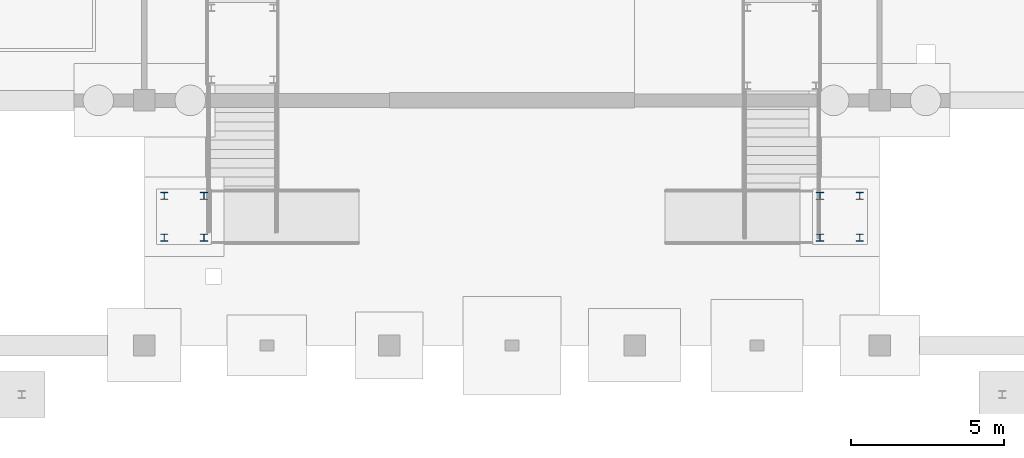
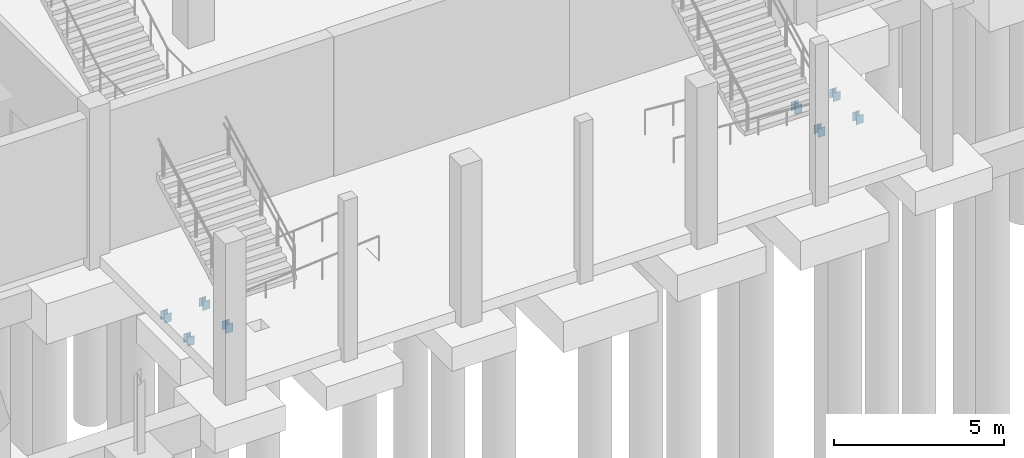
# One storey, part 23 of 45: 8 members.
"""IFC4 building model written with IfcOpenShell, lengths in metres."""

from ifc_helpers import new_model, si_unit, direction, frame, origin, origin_2d, place, context, subcontext, project, spatial, i_section, extrude, material, material_profile, profile_set, type_object, element, save


model = new_model("IFC4")

# Units and contexts
model_context = context("Model", 3, precision=1e-05, world=origin(), true_north=direction((0.0, 1.0)))
body_context = subcontext(model_context, "Body", "Model", "MODEL_VIEW")
ifc_project = project(units=[si_unit("LENGTHUNIT", "METRE"), si_unit("AREAUNIT", "SQUARE_METRE"), si_unit("VOLUMEUNIT", "CUBIC_METRE"), si_unit("PLANEANGLEUNIT", "RADIAN"), si_unit("MASSUNIT", "GRAM", prefix="KILO")], contexts=[model_context])

# Site, building, storey
site_placement = place(None, origin())
site = spatial("IfcSite", under=ifc_project, at=site_placement, CompositionType="ELEMENT")
building_placement = place(site_placement, origin())
building = spatial("IfcBuilding", under=site, at=building_placement, Name="Kenh Van Central Station", CompositionType="ELEMENT")
storey_placement = place(building_placement, frame((0.0, 0.0, -5.39990234375)))
storey = spatial("IfcBuildingStorey", under=building, at=storey_placement, Name="B1", CompositionType="ELEMENT", Elevation=-5.39990234375)

# Members
ifc_material = material(Name="Steel S355", Category="steel")
ifc_material_profile = material_profile(ifc_material, i_section(OverallWidth=0.239990234375, OverallDepth=0.22998046875, WebThickness=0.007568359375, FlangeThickness=0.011962890625, FilletRadius=0.02099609375, at=origin_2d()), Name="HEA 240")
ifc_profile_set = profile_set([ifc_material_profile], Name="Steel S355")
member_type = type_object("IfcMemberType", Name="MEM-ROOF-POST240", PredefinedType="POST", material=ifc_profile_set)
for number, where, z_axis, x_axis, name in (
    (1, (73.949951171875, 3.52001953125, -0.85009765625), (0.0, 0.0, 1.0), (1.0, 0.0, 0.0), "Sunken Metro Plaza West Garden Ramp landing support post 11"),
    (2, (73.949951171875, 4.8798828125, -0.85009765625), (0.0, 0.0, 1.0), (1.0, 0.0, 0.0), "Sunken Metro Plaza West Garden Ramp landing support post 12"),
    (3, (72.64990234375, 3.52001953125, -0.85009765625), (0.0, 0.0, 1.0), (1.0, 0.0, 0.0), "Sunken Metro Plaza West Garden Ramp landing support post 21"),
    (4, (72.64990234375, 4.8798828125, -0.85009765625), (0.0, 0.0, 1.0), (1.0, 0.0, 0.0), "Sunken Metro Plaza West Garden Ramp landing support post 22"),
    (5, (94.050048828125, 4.8798828125, -0.85009765625), (0.0, 0.0, 1.0), (1.0, 0.0, 0.0), "Sunken Metro Plaza East Garden Ramp landing support post 11"),
    (6, (94.050048828125, 3.52001953125, -0.85009765625), (0.0, 0.0, 1.0), (1.0, 0.0, 0.0), "Sunken Metro Plaza East Garden Ramp landing support post 12"),
    (7, (95.35009765625, 4.8798828125, -0.85009765625), (0.0, 0.0, 1.0), (1.0, 0.0, 0.0), "Sunken Metro Plaza East Garden Ramp landing support post 21"),
    (8, (95.35009765625, 3.52001953125, -0.85009765625), (0.0, 0.0, 1.0), (1.0, 0.0, 0.0), "Sunken Metro Plaza East Garden Ramp landing support post 22"),
):
    element("IfcMember", number, at=place(storey_placement, frame(where, z_axis=z_axis, x_axis=x_axis)), inside=storey, type_object=member_type, Name=name, PredefinedType="POST", context=body_context, shape_type="SweptSolid", body=[
        extrude(i_section(OverallWidth=0.239990234375, OverallDepth=0.22998046875, WebThickness=0.007568359375, FlangeThickness=0.011962890625, FilletRadius=0.02099609375, at=origin_2d()), origin(), (0.0, 0.0, 1.0), 0.31005859375),
    ])

save(model, "model.ifc")
